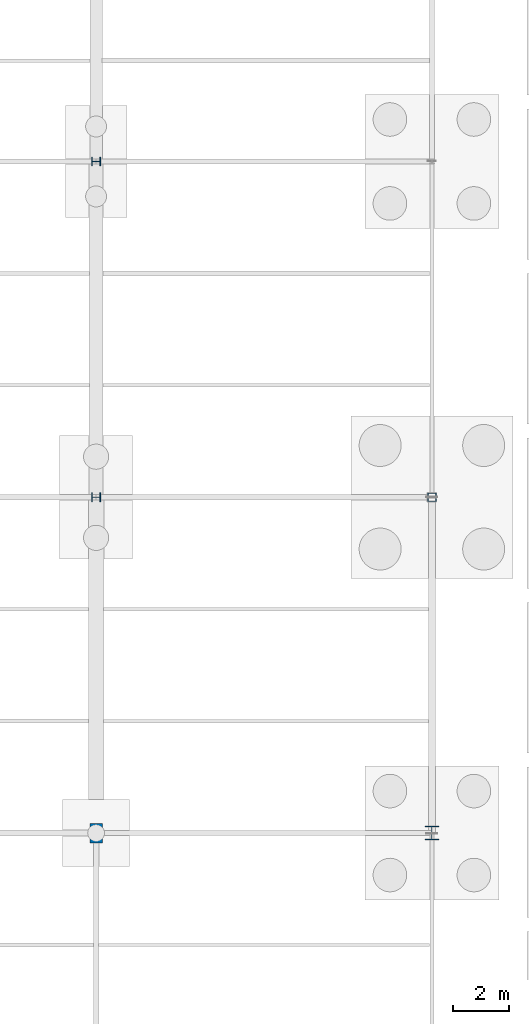
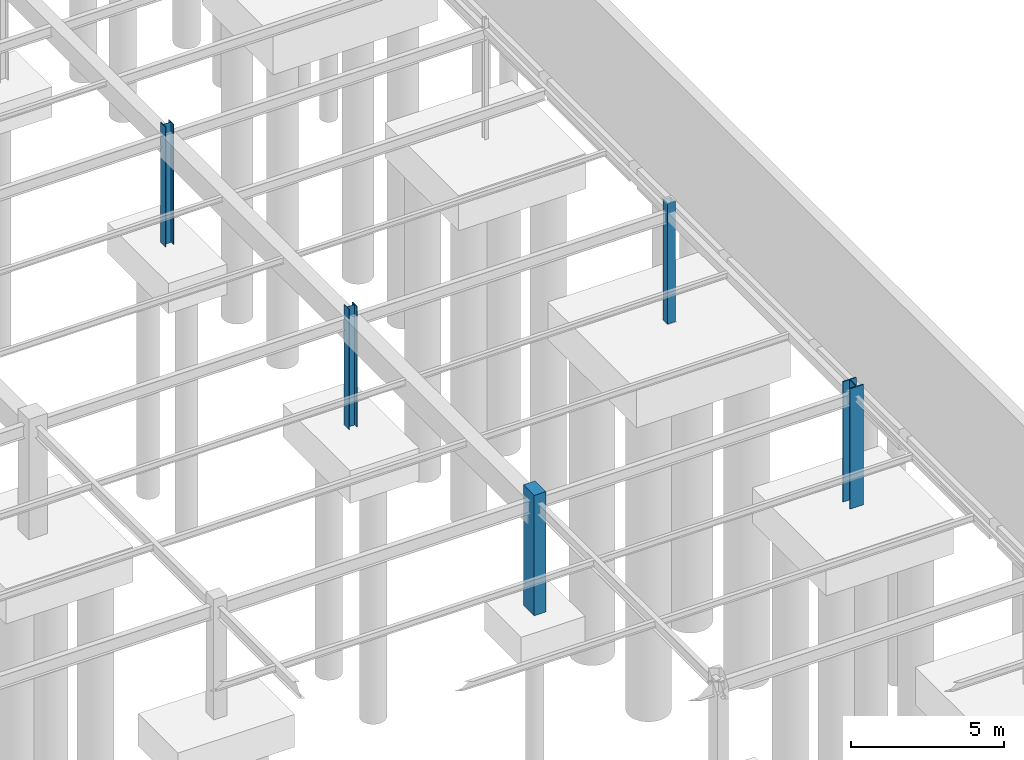
# One storey, part 66 of 136: 5 columns.
"""IFC4 building model written with IfcOpenShell, lengths in metres."""

import ifcopenshell
import ifcopenshell.guid

model = None  # the IFC model being written
_history = None  # IfcOwnerHistory: only IFC2X3 demands one
_inside = {}  # id of a spatial element -> (the spatial element, [elements in it])
_under = {}  # id of a project, library or spatial element -> (it, [spatial elements below it])
_declared = {}  # id of a project -> (the project, [libraries it declares])
_typed = {}  # id of a type object -> (the type object, [elements of that type])
_made_of = {}  # id of a material, layer set ... -> (it, [elements and type objects made of it])


def new_model(schema):
    """Start an empty IFC model of exactly this schema.

    Asked for "IFC4X3", IfcOpenShell would pick the latest addendum, in which some entities
    have other attributes; the version numbers below select the first issue.
    IFC2X3 requires an IfcOwnerHistory on every rooted entity: one is made here for all.
    """
    global model, _history
    if schema == "IFC4X3":
        model = ifcopenshell.file(schema_version=(4, 3, 0, 0))
    else:
        model = ifcopenshell.file(schema=schema)
    _inside.clear()
    _under.clear()
    _declared.clear()
    _typed.clear()
    _made_of.clear()
    _history = None
    if model.schema == "IFC2X3":
        org = make("IfcOrganization", Name="unknown")
        user = make(
            "IfcPersonAndOrganization",
            ThePerson=make("IfcPerson", FamilyName="unknown"),
            TheOrganization=org,
        )
        app = make(
            "IfcApplication",
            ApplicationDeveloper=org,
            Version="unknown",
            ApplicationFullName="unknown",
            ApplicationIdentifier="unknown",
        )
        _history = make(
            "IfcOwnerHistory",
            OwningUser=user,
            OwningApplication=app,
            ChangeAction="ADDED",
            CreationDate=0,
        )
    return model


def make(cls, **values):
    """One entity of the class cls with the attributes given. An attribute that is None is left unset."""
    return model.create_entity(
        cls, **{name: value for name, value in values.items() if value is not None}
    )


def rooted(cls, **values):
    """An entity with a GlobalId (a new one), such as an element, a storey or a relation."""
    return make(cls, GlobalId=ifcopenshell.guid.new(), OwnerHistory=_history, **values)


def si_unit(unit_type, name, prefix=None):
    """IfcSIUnit, for example si_unit("LENGTHUNIT", "METRE", prefix="MILLI")."""
    return make("IfcSIUnit", UnitType=unit_type, Prefix=prefix, Name=name)


def assignment(units):
    """IfcUnitAssignment: the units of a project."""
    return None if units is None else make("IfcUnitAssignment", Units=units)


def point(xyz):
    """IfcCartesianPoint."""
    return None if xyz is None else make("IfcCartesianPoint", Coordinates=xyz)


def direction(xyz):
    """IfcDirection."""
    return None if xyz is None else make("IfcDirection", DirectionRatios=xyz)


def frame(location, z_axis=None, x_axis=None):
    """IfcAxis2Placement3D, a coordinate frame: its origin and axes. An axis left out is left unset."""
    return make(
        "IfcAxis2Placement3D",
        Location=point(location),
        Axis=direction(z_axis),
        RefDirection=direction(x_axis),
    )


def frame_2d(location, x_axis=None):
    """IfcAxis2Placement2D, a coordinate frame in the plane: its origin and x axis."""
    return make(
        "IfcAxis2Placement2D", Location=point(location), RefDirection=direction(x_axis)
    )


def origin():
    """The frame at (0, 0, 0) with its axes left unset."""
    return frame((0.0, 0.0, 0.0))


def origin_2d():
    """The frame at (0, 0) in the plane with its x axis left unset."""
    return frame_2d((0.0, 0.0))


def place(relative_to, where):
    """IfcLocalPlacement: puts the frame where relative to a parent placement (None: the world)."""
    return make(
        "IfcLocalPlacement", PlacementRelTo=relative_to, RelativePlacement=where
    )


def context(
    kind, dimensions, precision=None, world=None, true_north=None, identifier=None
):
    """IfcGeometricRepresentationContext, for example the 3D "Model" context."""
    return make(
        "IfcGeometricRepresentationContext",
        ContextIdentifier=identifier,
        ContextType=kind,
        CoordinateSpaceDimension=dimensions,
        Precision=precision,
        WorldCoordinateSystem=world,
        TrueNorth=true_north,
    )


def subcontext(parent, identifier, kind, view, scale=None):
    """IfcGeometricRepresentationSubContext, for example "Body" below "Model"."""
    return make(
        "IfcGeometricRepresentationSubContext",
        ContextIdentifier=identifier,
        ContextType=kind,
        ParentContext=parent,
        TargetScale=scale,
        TargetView=view,
    )


def project(units=None, contexts=None):
    """IfcProject with its units and contexts."""
    return rooted(
        "IfcProject",
        Name="project",
        RepresentationContexts=contexts,
        UnitsInContext=assignment(units),
    )


def spatial(cls, under=None, at=None, **own):
    """A site, building, storey or space (cls), placed at a placement, below another one or the project."""
    s = rooted(cls, ObjectPlacement=at, **own)
    if under is not None:
        _under.setdefault(under.id(), (under, []))[1].append(s)
    return s


def profile(cls, at=None, kind="AREA", **sizes):
    """A parametric profile (cls). Its sizes go by their IFC names, for example OverallWidth=200.0."""
    return make(cls, ProfileType=kind, Position=at, **sizes)


def rectangle(**sizes):
    """IfcRectangleProfileDef."""
    return profile("IfcRectangleProfileDef", **sizes)


def hollow_rectangle(**sizes):
    """IfcRectangleHollowProfileDef."""
    return profile("IfcRectangleHollowProfileDef", **sizes)


def i_section(**sizes):
    """IfcIShapeProfileDef."""
    return profile("IfcIShapeProfileDef", **sizes)


def extrude(swept, where, along, depth):
    """IfcExtrudedAreaSolid: the profile swept, set in the frame where, extruded along a direction by depth."""
    return make(
        "IfcExtrudedAreaSolid",
        SweptArea=swept,
        Position=where,
        ExtrudedDirection=direction(along),
        Depth=depth,
    )


def shape(context_of_items, identifier, shape_type, items):
    """IfcShapeRepresentation: the items that make up one representation, for example the "Body"."""
    return make(
        "IfcShapeRepresentation",
        ContextOfItems=context_of_items,
        RepresentationIdentifier=identifier,
        RepresentationType=shape_type,
        Items=items,
    )


def material(Name=None, Category=None):
    """IfcMaterial."""
    return make("IfcMaterial", Name=Name, Category=Category)


def material_profile(
    of_material, cross_section, Name=None, Category=None, Priority=None
):
    """IfcMaterialProfile: a cross section and its material."""
    return make(
        "IfcMaterialProfile",
        Name=Name,
        Material=of_material,
        Profile=cross_section,
        Priority=Priority,
        Category=Category,
    )


def profile_set(profiles, Name=None, composite=None):
    """IfcMaterialProfileSet."""
    return make(
        "IfcMaterialProfileSet",
        Name=Name,
        MaterialProfiles=profiles,
        CompositeProfile=composite,
    )


def made_of(thing, what):
    """Note that an element or type object is made of a material, layer set ...; save() writes the relation."""
    if what is not None:
        _made_of.setdefault(what.id(), (what, []))[1].append(thing)
    return thing


def type_object(cls, material=None, **own):
    """A type object (cls), such as IfcWallType, which elements share."""
    return made_of(rooted(cls, **own), material)


def element(
    cls,
    number,
    at=None,
    inside=None,
    cuts=None,
    type_object=None,
    material=None,
    context=None,
    identifier="Body",
    shape_type=None,
    held_by="IfcProductDefinitionShape",
    body=None,
    shapes=None,
    **own,
):
    """One element of the class cls, such as IfcWall. Its Tag is "e" and its number.

    at: its placement. inside: the storey or other place that contains it. cuts: it is an
    opening in that element (IfcRelVoidsElement). A single representation is given by context,
    identifier, shape_type and body (its items); several are given by shapes. held_by: the class
    of the entity that holds the representations. save() writes the other relations.
    """
    e = rooted(cls, Tag="e%d" % number, ObjectPlacement=at, **own)
    if body is not None:
        shapes = [shape(context, identifier, shape_type, body)]
    if shapes is not None:
        e.Representation = make(held_by, Representations=shapes)
    if inside is not None:
        _inside.setdefault(inside.id(), (inside, []))[1].append(e)
    if cuts is not None:
        rooted(
            "IfcRelVoidsElement", RelatingBuildingElement=cuts, RelatedOpeningElement=e
        )
    if type_object is not None:
        _typed.setdefault(type_object.id(), (type_object, []))[1].append(e)
    return made_of(e, material)


def aggregate(whole, parts):
    """IfcRelAggregates: a whole, such as a stair, and the parts it consists of."""
    return rooted("IfcRelAggregates", RelatingObject=whole, RelatedObjects=parts)


def save(model, path):
    """Write the relations noted so far, then the file.

    IfcRelAggregates (storeys below a building ...), IfcRelContainedInSpatialStructure (elements
    in a storey), IfcRelDefinesByType, IfcRelAssociatesMaterial and IfcRelDeclares: one each for
    every whole, place, type object, material and project.
    """
    for whole, parts in _under.values():
        aggregate(whole, parts)
    for where, things in _inside.values():
        rooted(
            "IfcRelContainedInSpatialStructure",
            RelatedElements=things,
            RelatingStructure=where,
        )
    for kind, things in _typed.values():
        rooted("IfcRelDefinesByType", RelatedObjects=things, RelatingType=kind)
    for what, things in _made_of.values():
        rooted("IfcRelAssociatesMaterial", RelatedObjects=things, RelatingMaterial=what)
    for by, libraries in _declared.values():
        rooted("IfcRelDeclares", RelatingContext=by, RelatedDefinitions=libraries)
    model.write(path)


model = new_model("IFC4")

# Units and contexts
model_context = context("Model", 3, precision=1e-05, world=origin(), true_north=direction((0.0, 1.0)))
body_context = subcontext(model_context, "Body", "Model", "MODEL_VIEW")
ifc_project = project(units=[si_unit("LENGTHUNIT", "METRE"), si_unit("AREAUNIT", "SQUARE_METRE"), si_unit("VOLUMEUNIT", "CUBIC_METRE"), si_unit("PLANEANGLEUNIT", "RADIAN"), si_unit("MASSUNIT", "GRAM", prefix="KILO")], contexts=[model_context])

# Site, building, storey
site_placement = place(None, origin())
site = spatial("IfcSite", under=ifc_project, at=site_placement, CompositionType="ELEMENT")
building_placement = place(site_placement, origin())
building = spatial("IfcBuilding", under=site, at=building_placement, Name="Tarnwether General Hospital", CompositionType="ELEMENT")
storey_placement = place(building_placement, frame((0.0, 0.0, -4.800048828125)))
storey = spatial("IfcBuildingStorey", under=building, at=storey_placement, Name="LG", CompositionType="ELEMENT", Elevation=-4.800048828125)

# Columns
ifc_material_1 = material(Name="Steel Grade 350 (350 MPa)", Category="steel")
ifc_material_profile_1 = material_profile(ifc_material_1, i_section(OverallWidth=0.5, OverallDepth=0.5, WebThickness=0.02197265625, FlangeThickness=0.035888671875, at=origin_2d()), Name="500WC380")
ifc_profile_set_1 = profile_set([ifc_material_profile_1], Name="Steel Grade 350 (350 MPa)")
column_type_1 = type_object("IfcColumnType", Name="COL-01", PredefinedType="COLUMN", material=ifc_profile_set_1)
column_1_placement = place(storey_placement, frame((192.0, 69.60009765625, 0.0), z_axis=(0.0, 0.0, 1.0), x_axis=(1.0, 0.0, 0.0)))
element("IfcColumn", 1, at=column_1_placement, inside=storey, type_object=column_type_1, Name="Column COLG-LG-19200_6960", PredefinedType="COLUMN", context=body_context, shape_type="SweptSolid", body=[
    extrude(i_section(OverallWidth=0.5, OverallDepth=0.5, WebThickness=0.02197265625, FlangeThickness=0.035888671875, at=origin_2d()), origin(), (0.0, 0.0, 1.0), 4.800048828125),
])
ifc_material_2 = material(Name="Steel Grade 350 (350 MPa)", Category="steel")
ifc_material_profile_2 = material_profile(ifc_material_2, i_section(OverallWidth=0.31103515625, OverallDepth=0.326904296875, WebThickness=0.015625, FlangeThickness=0.02490234375, at=origin_2d()), Name="310UC158")
ifc_profile_set_2 = profile_set([ifc_material_profile_2], Name="Steel Grade 350 (350 MPa)")
column_type_2 = type_object("IfcColumnType", Name="COL-05", PredefinedType="COLUMN", material=ifc_profile_set_2)
column_2_placement = place(storey_placement, frame((180.0, 81.60009765625, 0.0), z_axis=(0.0, 0.0, 1.0), x_axis=(0.0, 1.0, 0.0)))
element("IfcColumn", 2, at=column_2_placement, inside=storey, type_object=column_type_2, Name="Column COLG-LG-18000_8160", PredefinedType="COLUMN", context=body_context, shape_type="SweptSolid", body=[
    extrude(i_section(OverallWidth=0.31103515625, OverallDepth=0.326904296875, WebThickness=0.015625, FlangeThickness=0.02490234375, at=origin_2d()), origin(), (0.0, 0.0, 1.0), 4.800048828125),
])
ifc_material_3 = material(Name="Steel Grade 350 (350 MPa)", Category="steel")
ifc_material_profile_3 = material_profile(ifc_material_3, i_section(OverallWidth=0.30908203125, OverallDepth=0.321044921875, WebThickness=0.013916015625, FlangeThickness=0.021728515625, at=origin_2d()), Name="310UC137")
ifc_profile_set_3 = profile_set([ifc_material_profile_3], Name="Steel Grade 350 (350 MPa)")
column_type_3 = type_object("IfcColumnType", Name="COL-06", PredefinedType="COLUMN", material=ifc_profile_set_3)
column_3_placement = place(storey_placement, frame((180.0, 93.60009765625, 0.0), z_axis=(0.0, 0.0, 1.0), x_axis=(0.0, 1.0, 0.0)))
element("IfcColumn", 3, at=column_3_placement, inside=storey, type_object=column_type_3, Name="Column COLG-LG-18000_9360", PredefinedType="COLUMN", context=body_context, shape_type="SweptSolid", body=[
    extrude(i_section(OverallWidth=0.30908203125, OverallDepth=0.321044921875, WebThickness=0.013916015625, FlangeThickness=0.021728515625, at=origin_2d()), origin(), (0.0, 0.0, 1.0), 4.800048828125),
])
ifc_material_4 = material(Name="Concrete 50 MPa", Category="concrete")
ifc_material_profile_4 = material_profile(ifc_material_4, rectangle(XDim=0.449951171875, YDim=0.699951171875, at=origin_2d()), Name="RC-PIL-450x700")
ifc_profile_set_4 = profile_set([ifc_material_profile_4], Name="Concrete 50 MPa")
column_type_4 = type_object("IfcColumnType", Name="COL-22", PredefinedType="PILASTER", material=ifc_profile_set_4)
column_4_placement = place(storey_placement, frame((180.0, 69.60009765625, 0.0), z_axis=(0.0, 0.0, 1.0), x_axis=(1.0, 0.0, 0.0)))
element("IfcColumn", 4, at=column_4_placement, inside=storey, type_object=column_type_4, Name="Column COLG-LG-18000_6960", PredefinedType="PILASTER", context=body_context, shape_type="SweptSolid", body=[
    extrude(rectangle(XDim=0.449951171875, YDim=0.699951171875, at=origin_2d()), origin(), (0.0, 0.0, 1.0), 4.800048828125),
])
ifc_material_5 = material(Name="Steel Grade C350L0 (350 MPa)", Category="steel")
ifc_material_profile_5 = material_profile(ifc_material_5, hollow_rectangle(XDim=0.300048828125, YDim=0.300048828125, WallThickness=0.012451171875, at=origin_2d()), Name="SHS300x300x12.5")
ifc_profile_set_5 = profile_set([ifc_material_profile_5], Name="Steel Grade C350L0 (350 MPa)")
column_type_5 = type_object("IfcColumnType", Name="COL-30", PredefinedType="COLUMN", material=ifc_profile_set_5)
column_5_placement = place(storey_placement, frame((192.0, 81.60009765625, 0.0), z_axis=(0.0, 0.0, 1.0), x_axis=(1.0, 0.0, 0.0)))
element("IfcColumn", 5, at=column_5_placement, inside=storey, type_object=column_type_5, Name="Column COLG-LG-19200_8160", PredefinedType="COLUMN", context=body_context, shape_type="SweptSolid", body=[
    extrude(hollow_rectangle(XDim=0.300048828125, YDim=0.300048828125, WallThickness=0.012451171875, at=origin_2d()), origin(), (0.0, 0.0, 1.0), 4.800048828125),
])

save(model, "model.ifc")
